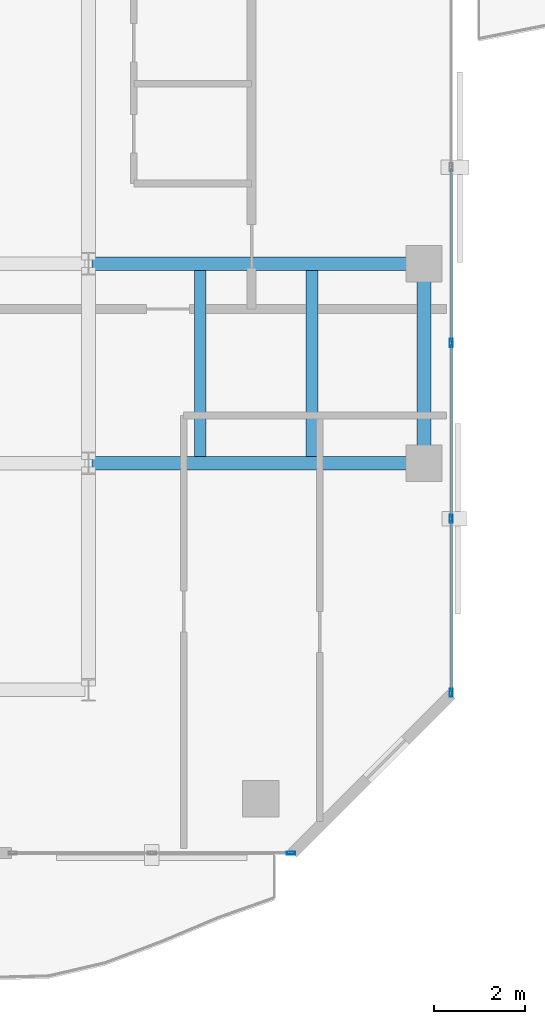
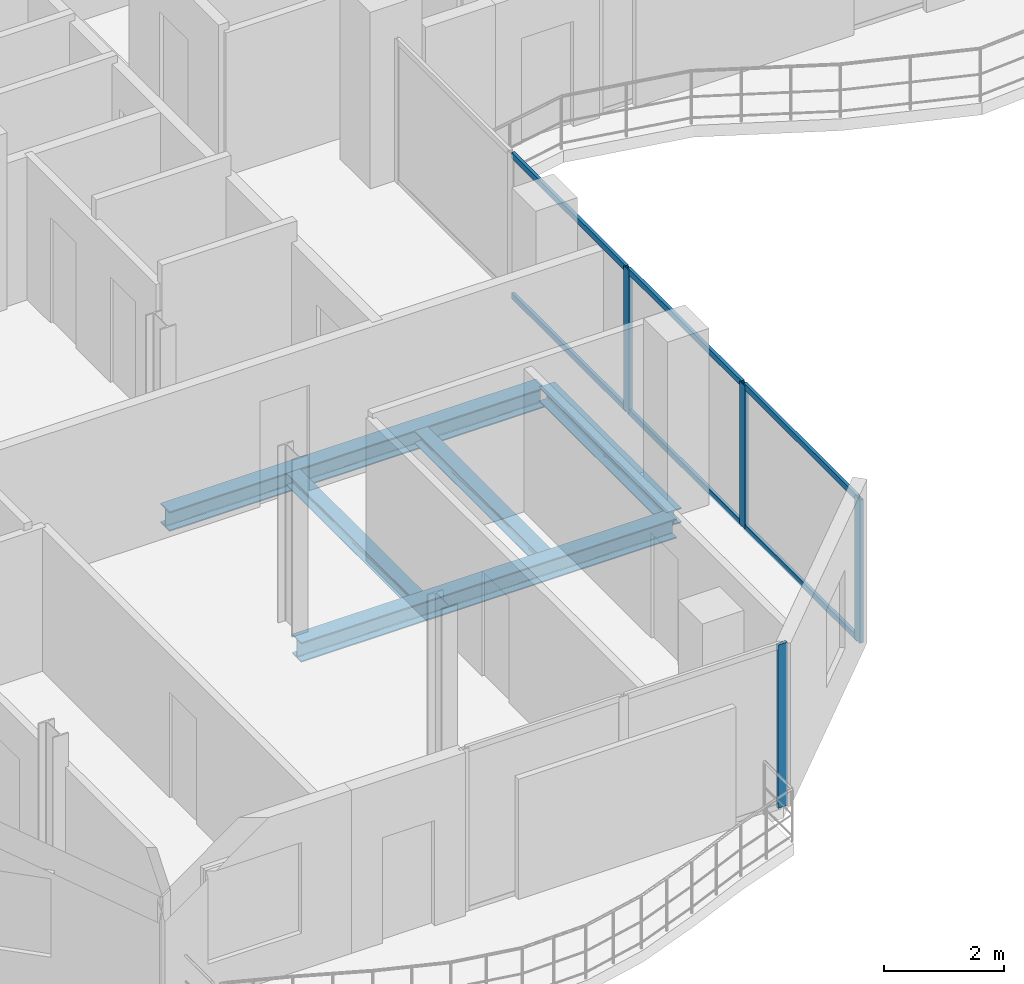
# One storey, part 6 of 23: 10 members, 5 beams, 2 elements without a shape of their own.
"""IFC4 building model written with IfcOpenShell, lengths in metres."""

import ifcopenshell
import ifcopenshell.guid

model = None  # the IFC model being written
_history = None  # IfcOwnerHistory: only IFC2X3 demands one
_inside = {}  # id of a spatial element -> (the spatial element, [elements in it])
_under = {}  # id of a project, library or spatial element -> (it, [spatial elements below it])
_declared = {}  # id of a project -> (the project, [libraries it declares])
_typed = {}  # id of a type object -> (the type object, [elements of that type])
_made_of = {}  # id of a material, layer set ... -> (it, [elements and type objects made of it])


def new_model(schema):
    """Start an empty IFC model of exactly this schema.

    Asked for "IFC4X3", IfcOpenShell would pick the latest addendum, in which some entities
    have other attributes; the version numbers below select the first issue.
    IFC2X3 requires an IfcOwnerHistory on every rooted entity: one is made here for all.
    """
    global model, _history
    if schema == "IFC4X3":
        model = ifcopenshell.file(schema_version=(4, 3, 0, 0))
    else:
        model = ifcopenshell.file(schema=schema)
    _inside.clear()
    _under.clear()
    _declared.clear()
    _typed.clear()
    _made_of.clear()
    _history = None
    if model.schema == "IFC2X3":
        org = make("IfcOrganization", Name="unknown")
        user = make(
            "IfcPersonAndOrganization",
            ThePerson=make("IfcPerson", FamilyName="unknown"),
            TheOrganization=org,
        )
        app = make(
            "IfcApplication",
            ApplicationDeveloper=org,
            Version="unknown",
            ApplicationFullName="unknown",
            ApplicationIdentifier="unknown",
        )
        _history = make(
            "IfcOwnerHistory",
            OwningUser=user,
            OwningApplication=app,
            ChangeAction="ADDED",
            CreationDate=0,
        )
    return model


def make(cls, **values):
    """One entity of the class cls with the attributes given. An attribute that is None is left unset."""
    return model.create_entity(
        cls, **{name: value for name, value in values.items() if value is not None}
    )


def rooted(cls, **values):
    """An entity with a GlobalId (a new one), such as an element, a storey or a relation."""
    return make(cls, GlobalId=ifcopenshell.guid.new(), OwnerHistory=_history, **values)


def si_unit(unit_type, name, prefix=None):
    """IfcSIUnit, for example si_unit("LENGTHUNIT", "METRE", prefix="MILLI")."""
    return make("IfcSIUnit", UnitType=unit_type, Prefix=prefix, Name=name)


def assignment(units):
    """IfcUnitAssignment: the units of a project."""
    return None if units is None else make("IfcUnitAssignment", Units=units)


def point(xyz):
    """IfcCartesianPoint."""
    return None if xyz is None else make("IfcCartesianPoint", Coordinates=xyz)


def direction(xyz):
    """IfcDirection."""
    return None if xyz is None else make("IfcDirection", DirectionRatios=xyz)


def frame(location, z_axis=None, x_axis=None):
    """IfcAxis2Placement3D, a coordinate frame: its origin and axes. An axis left out is left unset."""
    return make(
        "IfcAxis2Placement3D",
        Location=point(location),
        Axis=direction(z_axis),
        RefDirection=direction(x_axis),
    )


def frame_2d(location, x_axis=None):
    """IfcAxis2Placement2D, a coordinate frame in the plane: its origin and x axis."""
    return make(
        "IfcAxis2Placement2D", Location=point(location), RefDirection=direction(x_axis)
    )


def origin():
    """The frame at (0, 0, 0) with its axes left unset."""
    return frame((0.0, 0.0, 0.0))


def origin_2d():
    """The frame at (0, 0) in the plane with its x axis left unset."""
    return frame_2d((0.0, 0.0))


def place(relative_to, where):
    """IfcLocalPlacement: puts the frame where relative to a parent placement (None: the world)."""
    return make(
        "IfcLocalPlacement", PlacementRelTo=relative_to, RelativePlacement=where
    )


def context(
    kind, dimensions, precision=None, world=None, true_north=None, identifier=None
):
    """IfcGeometricRepresentationContext, for example the 3D "Model" context."""
    return make(
        "IfcGeometricRepresentationContext",
        ContextIdentifier=identifier,
        ContextType=kind,
        CoordinateSpaceDimension=dimensions,
        Precision=precision,
        WorldCoordinateSystem=world,
        TrueNorth=true_north,
    )


def subcontext(parent, identifier, kind, view, scale=None):
    """IfcGeometricRepresentationSubContext, for example "Body" below "Model"."""
    return make(
        "IfcGeometricRepresentationSubContext",
        ContextIdentifier=identifier,
        ContextType=kind,
        ParentContext=parent,
        TargetScale=scale,
        TargetView=view,
    )


def project(units=None, contexts=None):
    """IfcProject with its units and contexts."""
    return rooted(
        "IfcProject",
        Name="project",
        RepresentationContexts=contexts,
        UnitsInContext=assignment(units),
    )


def spatial(cls, under=None, at=None, **own):
    """A site, building, storey or space (cls), placed at a placement, below another one or the project."""
    s = rooted(cls, ObjectPlacement=at, **own)
    if under is not None:
        _under.setdefault(under.id(), (under, []))[1].append(s)
    return s


def profile(cls, at=None, kind="AREA", **sizes):
    """A parametric profile (cls). Its sizes go by their IFC names, for example OverallWidth=200.0."""
    return make(cls, ProfileType=kind, Position=at, **sizes)


def hollow_rectangle(**sizes):
    """IfcRectangleHollowProfileDef."""
    return profile("IfcRectangleHollowProfileDef", **sizes)


def i_section(**sizes):
    """IfcIShapeProfileDef."""
    return profile("IfcIShapeProfileDef", **sizes)


def extrude(swept, where, along, depth):
    """IfcExtrudedAreaSolid: the profile swept, set in the frame where, extruded along a direction by depth."""
    return make(
        "IfcExtrudedAreaSolid",
        SweptArea=swept,
        Position=where,
        ExtrudedDirection=direction(along),
        Depth=depth,
    )


def shape(context_of_items, identifier, shape_type, items):
    """IfcShapeRepresentation: the items that make up one representation, for example the "Body"."""
    return make(
        "IfcShapeRepresentation",
        ContextOfItems=context_of_items,
        RepresentationIdentifier=identifier,
        RepresentationType=shape_type,
        Items=items,
    )


def material(Name=None, Category=None):
    """IfcMaterial."""
    return make("IfcMaterial", Name=Name, Category=Category)


def layer(
    of_material, thickness, ventilated=None, Name=None, Category=None, Priority=None
):
    """IfcMaterialLayer: one layer of a wall or slab, of a material (None: an air gap)."""
    return make(
        "IfcMaterialLayer",
        Material=of_material,
        LayerThickness=thickness,
        IsVentilated=ventilated,
        Name=Name,
        Category=Category,
        Priority=Priority,
    )


def layer_set(layers, Name=None):
    """IfcMaterialLayerSet."""
    return make("IfcMaterialLayerSet", MaterialLayers=layers, LayerSetName=Name)


def material_profile(
    of_material, cross_section, Name=None, Category=None, Priority=None
):
    """IfcMaterialProfile: a cross section and its material."""
    return make(
        "IfcMaterialProfile",
        Name=Name,
        Material=of_material,
        Profile=cross_section,
        Priority=Priority,
        Category=Category,
    )


def profile_set(profiles, Name=None, composite=None):
    """IfcMaterialProfileSet."""
    return make(
        "IfcMaterialProfileSet",
        Name=Name,
        MaterialProfiles=profiles,
        CompositeProfile=composite,
    )


def made_of(thing, what):
    """Note that an element or type object is made of a material, layer set ...; save() writes the relation."""
    if what is not None:
        _made_of.setdefault(what.id(), (what, []))[1].append(thing)
    return thing


def type_object(cls, material=None, **own):
    """A type object (cls), such as IfcWallType, which elements share."""
    return made_of(rooted(cls, **own), material)


def element(
    cls,
    number,
    at=None,
    inside=None,
    cuts=None,
    type_object=None,
    material=None,
    context=None,
    identifier="Body",
    shape_type=None,
    held_by="IfcProductDefinitionShape",
    body=None,
    shapes=None,
    **own,
):
    """One element of the class cls, such as IfcWall. Its Tag is "e" and its number.

    at: its placement. inside: the storey or other place that contains it. cuts: it is an
    opening in that element (IfcRelVoidsElement). A single representation is given by context,
    identifier, shape_type and body (its items); several are given by shapes. held_by: the class
    of the entity that holds the representations. save() writes the other relations.
    """
    e = rooted(cls, Tag="e%d" % number, ObjectPlacement=at, **own)
    if body is not None:
        shapes = [shape(context, identifier, shape_type, body)]
    if shapes is not None:
        e.Representation = make(held_by, Representations=shapes)
    if inside is not None:
        _inside.setdefault(inside.id(), (inside, []))[1].append(e)
    if cuts is not None:
        rooted(
            "IfcRelVoidsElement", RelatingBuildingElement=cuts, RelatedOpeningElement=e
        )
    if type_object is not None:
        _typed.setdefault(type_object.id(), (type_object, []))[1].append(e)
    return made_of(e, material)


def aggregate(whole, parts):
    """IfcRelAggregates: a whole, such as a stair, and the parts it consists of."""
    return rooted("IfcRelAggregates", RelatingObject=whole, RelatedObjects=parts)


def save(model, path):
    """Write the relations noted so far, then the file.

    IfcRelAggregates (storeys below a building ...), IfcRelContainedInSpatialStructure (elements
    in a storey), IfcRelDefinesByType, IfcRelAssociatesMaterial and IfcRelDeclares: one each for
    every whole, place, type object, material and project.
    """
    for whole, parts in _under.values():
        aggregate(whole, parts)
    for where, things in _inside.values():
        rooted(
            "IfcRelContainedInSpatialStructure",
            RelatedElements=things,
            RelatingStructure=where,
        )
    for kind, things in _typed.values():
        rooted("IfcRelDefinesByType", RelatedObjects=things, RelatingType=kind)
    for what, things in _made_of.values():
        rooted("IfcRelAssociatesMaterial", RelatedObjects=things, RelatingMaterial=what)
    for by, libraries in _declared.values():
        rooted("IfcRelDeclares", RelatingContext=by, RelatedDefinitions=libraries)
    model.write(path)


model = new_model("IFC4")

# Units and contexts
model_context = context("Model", 3, precision=1e-05, world=origin(), true_north=direction((0.0, 1.0)))
body_context = subcontext(model_context, "Body", "Model", "MODEL_VIEW")
ifc_project = project(units=[si_unit("LENGTHUNIT", "METRE"), si_unit("AREAUNIT", "SQUARE_METRE"), si_unit("VOLUMEUNIT", "CUBIC_METRE"), si_unit("PLANEANGLEUNIT", "RADIAN"), si_unit("MASSUNIT", "GRAM", prefix="KILO")], contexts=[model_context])

# Site, building, storey
site_placement = place(None, origin())
site = spatial("IfcSite", under=ifc_project, at=site_placement, CompositionType="ELEMENT")
building_placement = place(site_placement, origin())
building = spatial("IfcBuilding", under=site, at=building_placement, Name="Catumbela Crestline Tower", CompositionType="ELEMENT")
storey_placement = place(building_placement, frame((0.0, 0.0, 175.8)))
storey = spatial("IfcBuildingStorey", under=building, at=storey_placement, Name="L45", CompositionType="ELEMENT", Elevation=175.8)

# Beams
ifc_material_1 = material(Name="Structural steel S355J2", Category="steel")
ifc_material_profile_1 = material_profile(ifc_material_1, i_section(OverallWidth=0.3, OverallDepth=0.4, WebThickness=0.0135, FlangeThickness=0.024, FilletRadius=0.027, at=origin_2d()), Name="HEB 400")
ifc_profile_set_1 = profile_set([ifc_material_profile_1], Name="Structural steel S355J2")
beam_type_1 = type_object("IfcBeamType", Name="BG-HEB400", PredefinedType="BEAM", material=ifc_profile_set_1)
for number, where, z_axis, x_axis, name in (
    (1, (16.08, 13.6, -0.46), (1.0, 0.0, 0.0), (0.0, 1.0, 0.0), "L45 Beam BM-L45-WEW34"),
    (2, (16.08, 18.0, -0.46), (1.0, 0.0, 0.0), (0.0, 1.0, 0.0), "L45 Beam BM-L45-WEW36"),
):
    element("IfcBeam", number, at=place(storey_placement, frame(where, z_axis=z_axis, x_axis=x_axis)), inside=storey, type_object=beam_type_1, Name=name, PredefinedType="BEAM", context=body_context, shape_type="SweptSolid", body=[
        extrude(i_section(OverallWidth=0.3, OverallDepth=0.4, WebThickness=0.0135, FlangeThickness=0.024, FilletRadius=0.027, at=origin_2d()), origin(), (0.0, 0.0, 1.0), 7.24),
    ])
ifc_material_profile_2 = material_profile(ifc_material_1, i_section(OverallWidth=0.26, OverallDepth=0.25, WebThickness=0.0075, FlangeThickness=0.0125, FilletRadius=0.024, at=origin_2d()), Name="HEA 260")
ifc_profile_set_2 = profile_set([ifc_material_profile_2], Name="Structural steel S355J2")
beam_type_2 = type_object("IfcBeamType", Name="BJ-HEA260", PredefinedType="JOIST", material=ifc_profile_set_2)
for number, where, z_axis, x_axis, name in (
    (3, (18.467, 13.747, -0.385), (0.0, 1.0, 0.0), (-1.0, 0.0, 0.0), "L45 Joist JS-L45-WG48"),
    (4, (20.933, 13.747, -0.385), (0.0, 1.0, 0.0), (-1.0, 0.0, 0.0), "L45 Joist JS-L45-WG49"),
):
    element("IfcBeam", number, at=place(storey_placement, frame(where, z_axis=z_axis, x_axis=x_axis)), inside=storey, type_object=beam_type_2, Name=name, PredefinedType="JOIST", context=body_context, shape_type="SweptSolid", body=[
        extrude(i_section(OverallWidth=0.26, OverallDepth=0.25, WebThickness=0.0075, FlangeThickness=0.0125, FilletRadius=0.024, at=origin_2d()), origin(), (0.0, 0.0, 1.0), 4.106),
    ])

# Curtain wall, member
ifc_material_2 = material(Name="Aluminium alloy AW-6060-T66", Category="aluminium")
ifc_layer = layer(ifc_material_2, 0.18, Name="Aluminium alloy AW-6060-T66")
ifc_layer_set = layer_set([ifc_layer], Name="Aluminium alloy AW-6060-T66")
curtain_wall_type = type_object("IfcCurtainWallType", Name="CWU-Z3", PredefinedType="USERDEFINED", material=ifc_layer_set)
curtain_wall_1_placement = place(storey_placement, origin())
curtain_wall_1 = element("IfcCurtainWall", 5, at=curtain_wall_1_placement, inside=storey, type_object=curtain_wall_type, Name="L45 Unitised Curtain Wall CW-L45-E0S2", ObjectType="UNITISED", PredefinedType="USERDEFINED")
ifc_material_profile_3 = material_profile(ifc_material_2, hollow_rectangle(XDim=0.065, YDim=0.18, WallThickness=0.004, at=origin_2d()), Name="ALU 180x65x4")
ifc_profile_set_3 = profile_set([ifc_material_profile_3], Name="Aluminium alloy AW-6060-T66")
member_type_1 = type_object("IfcMemberType", Name="MUL-180X65", PredefinedType="MULLION", material=ifc_profile_set_3)
member_1_placement = place(storey_placement, frame((20.4675, 5.0, 0.0), z_axis=(0.0, 0.0, 1.0), x_axis=(0.0, 1.0, 0.0)))
member_1 = element("IfcMember", 6, at=member_1_placement, type_object=member_type_1, Name="CWU-Z3 mullion 3", PredefinedType="MULLION", context=body_context, shape_type="SweptSolid", body=[
    extrude(hollow_rectangle(XDim=0.065, YDim=0.18, WallThickness=0.004, at=origin_2d()), origin(), (0.0, 0.0, 1.0), 3.33),
])
aggregate(curtain_wall_1, [member_1])

# Curtain wall, members
curtain_wall_2_placement = place(storey_placement, origin())
curtain_wall_2 = element("IfcCurtainWall", 7, at=curtain_wall_2_placement, inside=storey, type_object=curtain_wall_type, Name="L45 Unitised Curtain Wall CW-L45-E2S1", ObjectType="UNITISED", PredefinedType="USERDEFINED")
member_2_placement = place(storey_placement, frame((24.0, 8.5325, 0.0), z_axis=(0.0, 0.0, 1.0), x_axis=(-1.0, 0.0, 0.0)))
member_2 = element("IfcMember", 8, at=member_2_placement, type_object=member_type_1, Name="CWU-Z3 mullion 1", PredefinedType="MULLION", context=body_context, shape_type="SweptSolid", body=[
    extrude(hollow_rectangle(XDim=0.065, YDim=0.18, WallThickness=0.004, at=origin_2d()), origin(), (0.0, 0.0, 1.0), 2.92),
])
member_3_placement = place(storey_placement, frame((24.0, 12.375, 0.0), z_axis=(0.0, 0.0, 1.0), x_axis=(-1.0, 0.0, 0.0)))
member_3 = element("IfcMember", 9, at=member_3_placement, type_object=member_type_1, Name="CWU-Z3 mullion 2", PredefinedType="MULLION", context=body_context, shape_type="SweptSolid", body=[
    extrude(hollow_rectangle(XDim=0.065, YDim=0.18, WallThickness=0.004, at=origin_2d()), origin(), (0.0, 0.0, 1.0), 2.92),
])
member_4_placement = place(storey_placement, frame((24.0, 16.25, 0.0), z_axis=(0.0, 0.0, 1.0), x_axis=(-1.0, 0.0, 0.0)))
member_4 = element("IfcMember", 10, at=member_4_placement, type_object=member_type_1, Name="CWU-Z3 mullion 3", PredefinedType="MULLION", context=body_context, shape_type="SweptSolid", body=[
    extrude(hollow_rectangle(XDim=0.065, YDim=0.18, WallThickness=0.004, at=origin_2d()), origin(), (0.0, 0.0, 1.0), 2.92),
])

# Beam
ifc_material_profile_4 = material_profile(ifc_material_1, i_section(OverallWidth=0.3, OverallDepth=0.3, WebThickness=0.011, FlangeThickness=0.019, FilletRadius=0.027, at=origin_2d()), Name="HEB 300")
ifc_profile_set_4 = profile_set([ifc_material_profile_4], Name="Structural steel S355J2")
beam_type_3 = type_object("IfcBeamType", Name="BS-HEB300", PredefinedType="SPANDREL", material=ifc_profile_set_4)
beam_placement = place(storey_placement, frame((23.4, 13.68, -0.41), z_axis=(0.0, 1.0, 0.0), x_axis=(-1.0, 0.0, 0.0)))
element("IfcBeam", 11, at=beam_placement, inside=storey, type_object=beam_type_3, Name="L45 Spandrel SP-L45-WNS43", PredefinedType="SPANDREL", context=body_context, shape_type="SweptSolid", body=[
    extrude(i_section(OverallWidth=0.3, OverallDepth=0.3, WebThickness=0.011, FlangeThickness=0.019, FilletRadius=0.027, at=origin_2d()), origin(), (0.0, 0.0, 1.0), 4.24),
])

# Member
ifc_material_profile_5 = material_profile(ifc_material_2, hollow_rectangle(XDim=0.06, YDim=0.12, WallThickness=0.0035, at=origin_2d()), Name="ALU 120x60x3.5")
ifc_profile_set_5 = profile_set([ifc_material_profile_5], Name="Aluminium alloy AW-6060-T66")
member_type_2 = type_object("IfcMemberType", Name="TRN-120X60", PredefinedType="USERDEFINED", material=ifc_profile_set_5)
member_5_placement = place(storey_placement, frame((24.0, 8.565, 0.03), z_axis=(0.0, 1.0, 0.0), x_axis=(-1.0, 0.0, 0.0)))
member_5 = element("IfcMember", 12, at=member_5_placement, type_object=member_type_2, Name="CWU-Z3 transom 1.1", ObjectType="TRANSOM", PredefinedType="USERDEFINED", context=body_context, shape_type="SweptSolid", body=[
    extrude(hollow_rectangle(XDim=0.06, YDim=0.12, WallThickness=0.0035, at=origin_2d()), origin(), (0.0, 0.0, 1.0), 3.7775),
])

member_6_placement = place(storey_placement, frame((24.0, 8.565, 2.89), z_axis=(0.0, 1.0, 0.0), x_axis=(-1.0, 0.0, 0.0)))
member_6 = element("IfcMember", 13, at=member_6_placement, type_object=member_type_2, Name="CWU-Z3 transom 1.2", ObjectType="TRANSOM", PredefinedType="USERDEFINED", context=body_context, shape_type="SweptSolid", body=[
    extrude(hollow_rectangle(XDim=0.06, YDim=0.12, WallThickness=0.0035, at=origin_2d()), origin(), (0.0, 0.0, 1.0), 3.7775),
])

member_7_placement = place(storey_placement, frame((24.0, 12.4075, 0.03), z_axis=(0.0, 1.0, 0.0), x_axis=(-1.0, 0.0, 0.0)))
member_7 = element("IfcMember", 14, at=member_7_placement, type_object=member_type_2, Name="CWU-Z3 transom 2.1", ObjectType="TRANSOM", PredefinedType="USERDEFINED", context=body_context, shape_type="SweptSolid", body=[
    extrude(hollow_rectangle(XDim=0.06, YDim=0.12, WallThickness=0.0035, at=origin_2d()), origin(), (0.0, 0.0, 1.0), 3.81),
])

member_8_placement = place(storey_placement, frame((24.0, 12.4075, 2.89), z_axis=(0.0, 1.0, 0.0), x_axis=(-1.0, 0.0, 0.0)))
member_8 = element("IfcMember", 15, at=member_8_placement, type_object=member_type_2, Name="CWU-Z3 transom 2.2", ObjectType="TRANSOM", PredefinedType="USERDEFINED", context=body_context, shape_type="SweptSolid", body=[
    extrude(hollow_rectangle(XDim=0.06, YDim=0.12, WallThickness=0.0035, at=origin_2d()), origin(), (0.0, 0.0, 1.0), 3.81),
])

member_9_placement = place(storey_placement, frame((24.0, 16.2825, 0.03), z_axis=(0.0, 1.0, 0.0), x_axis=(-1.0, 0.0, 0.0)))
member_9 = element("IfcMember", 16, at=member_9_placement, type_object=member_type_2, Name="CWU-Z3 transom 3.1", ObjectType="TRANSOM", PredefinedType="USERDEFINED", context=body_context, shape_type="SweptSolid", body=[
    extrude(hollow_rectangle(XDim=0.06, YDim=0.12, WallThickness=0.0035, at=origin_2d()), origin(), (0.0, 0.0, 1.0), 3.81),
])

member_10_placement = place(storey_placement, frame((24.0, 16.2825, 2.89), z_axis=(0.0, 1.0, 0.0), x_axis=(-1.0, 0.0, 0.0)))
member_10 = element("IfcMember", 17, at=member_10_placement, type_object=member_type_2, Name="CWU-Z3 transom 3.2", ObjectType="TRANSOM", PredefinedType="USERDEFINED", context=body_context, shape_type="SweptSolid", body=[
    extrude(hollow_rectangle(XDim=0.06, YDim=0.12, WallThickness=0.0035, at=origin_2d()), origin(), (0.0, 0.0, 1.0), 3.81),
])

aggregate(curtain_wall_2, [member_2, member_3, member_4, member_5, member_6, member_7, member_8, member_9, member_10])

save(model, "model.ifc")
